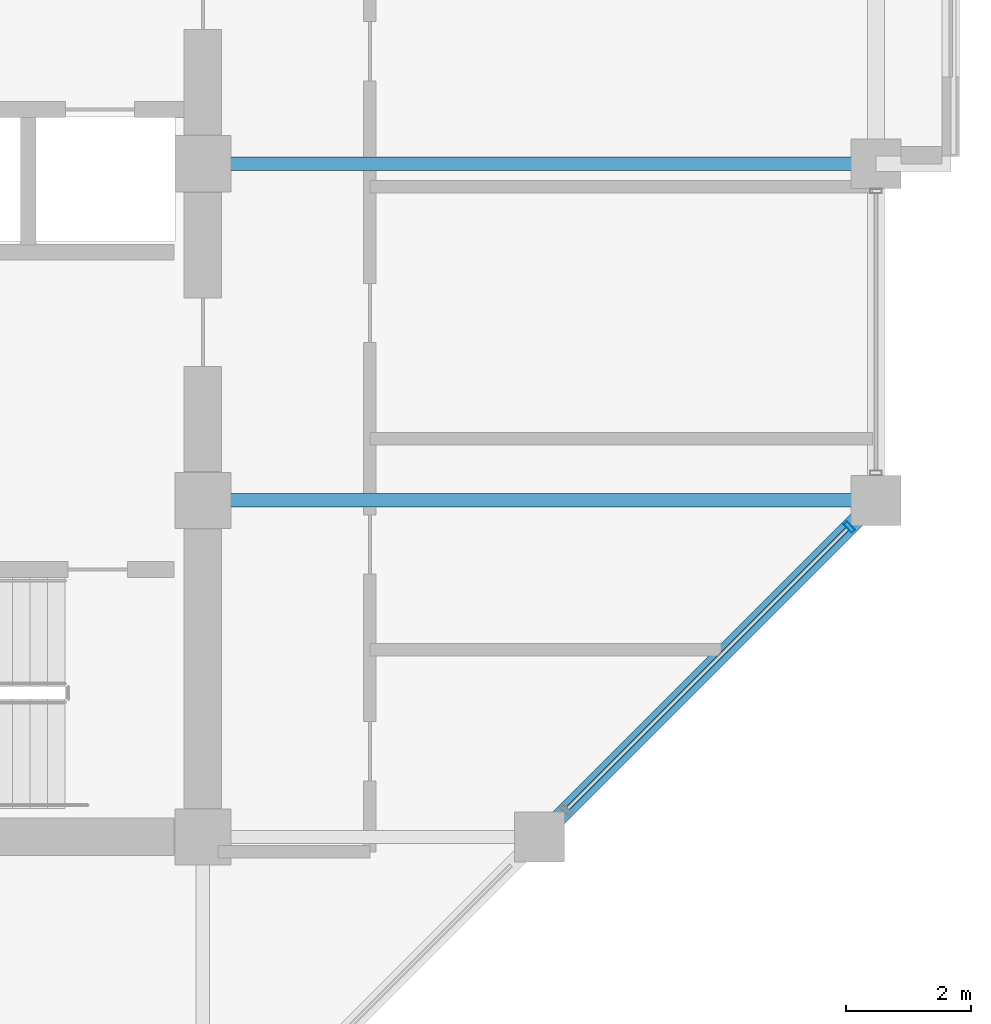
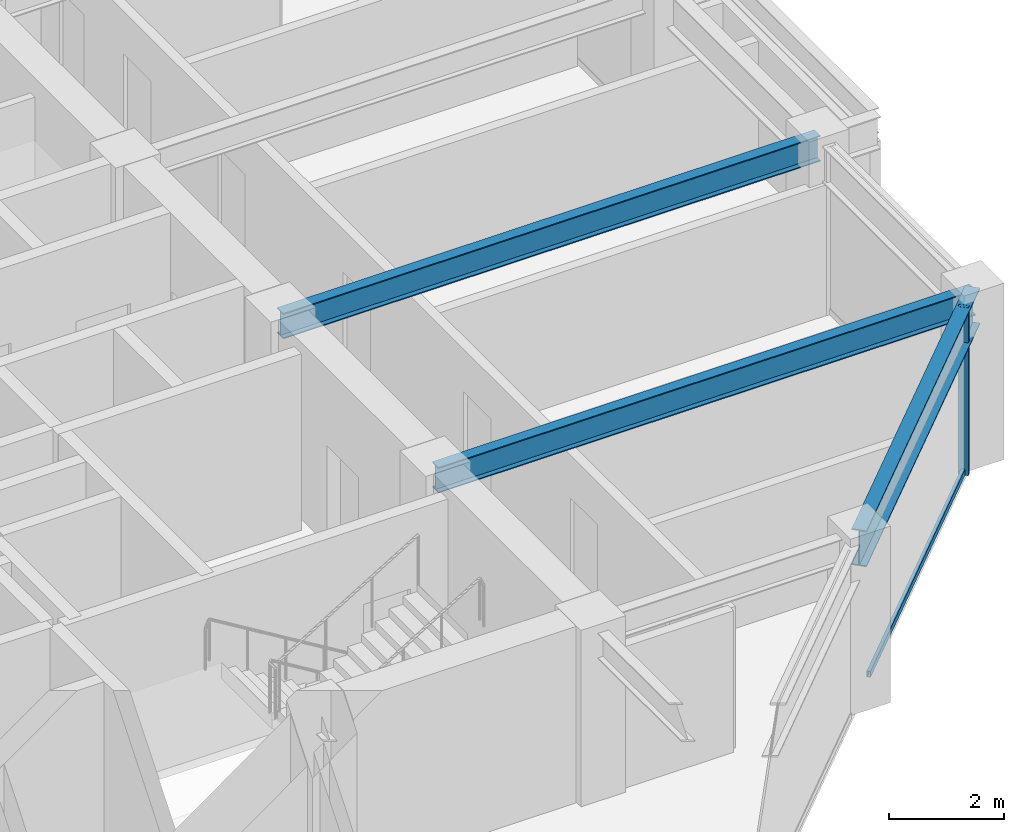
# One storey, part 10 of 28: 3 beams, 2 members, 1 element without a shape of its own.
"""IFC4 building model written with IfcOpenShell, lengths in metres."""

from ifc_helpers import new_model, si_unit, direction, frame, origin, origin_2d, place, context, subcontext, project, spatial, hollow_rectangle, i_section, extrude, material, layer, layer_set, material_profile, profile_set, type_object, element, aggregate, save


model = new_model("IFC4")

# Units and contexts
model_context = context("Model", 3, precision=1e-05, world=origin(), true_north=direction((0.0, 1.0)))
body_context = subcontext(model_context, "Body", "Model", "MODEL_VIEW")
ifc_project = project(units=[si_unit("LENGTHUNIT", "METRE"), si_unit("AREAUNIT", "SQUARE_METRE"), si_unit("VOLUMEUNIT", "CUBIC_METRE"), si_unit("PLANEANGLEUNIT", "RADIAN"), si_unit("MASSUNIT", "GRAM", prefix="KILO")], contexts=[model_context])

# Site, building, storey
site_placement = place(None, origin())
site = spatial("IfcSite", under=ifc_project, at=site_placement, CompositionType="ELEMENT")
building_placement = place(site_placement, origin())
building = spatial("IfcBuilding", under=site, at=building_placement, Name="Surkhivell Harbour Commons", CompositionType="ELEMENT")
storey_placement = place(building_placement, frame((0.0, 0.0, 242.25)))
storey = spatial("IfcBuildingStorey", under=building, at=storey_placement, Name="L63", CompositionType="ELEMENT", Elevation=242.25)

# Beams
ifc_material_1 = material(Name="Steel S355", Category="steel")
ifc_material_profile_1 = material_profile(ifc_material_1, i_section(OverallWidth=0.2119140625, OverallDepth=0.5439453125, WebThickness=0.0126953125, FlangeThickness=0.021240234375, at=origin_2d()), Name="UB533x210x122")
ifc_profile_set_1 = profile_set([ifc_material_profile_1], Name="Steel S355")
beam_type_1 = type_object("IfcBeamType", Name="BM-GRD-533A", PredefinedType="BEAM", material=ifc_profile_set_1)
for number, where, z_axis, x_axis, name in (
    (1, (10.800048828125, -5.39990234375, 3.298095703125), (1.0, 0.0, 0.0), (0.0, 1.0, 0.0), "L63 Floor Girder (10.8,-5.4)"),
    (2, (10.800048828125, 0.0, 3.298095703125), (1.0, 0.0, 0.0), (0.0, 1.0, 0.0), "L63 Floor Girder (10.8,0.0)"),
):
    element("IfcBeam", number, at=place(storey_placement, frame(where, z_axis=z_axis, x_axis=x_axis)), inside=storey, type_object=beam_type_1, Name=name, PredefinedType="BEAM", context=body_context, shape_type="SweptSolid", body=[
        extrude(i_section(OverallWidth=0.2119140625, OverallDepth=0.5439453125, WebThickness=0.0126953125, FlangeThickness=0.021240234375, at=origin_2d()), origin(), (0.0, 0.0, 1.0), 10.800048828125),
    ])
ifc_material_profile_2 = material_profile(ifc_material_1, i_section(OverallWidth=0.26806640625, OverallDepth=0.77001953125, WebThickness=0.015625, FlangeThickness=0.025390625, at=origin_2d()), Name="UB762x267x197")
ifc_profile_set_2 = profile_set([ifc_material_profile_2], Name="Steel S355")
beam_type_2 = type_object("IfcBeamType", Name="BM-SPN-762", PredefinedType="SPANDREL", material=ifc_profile_set_2)
beam_placement = place(storey_placement, frame((16.199951171875, -10.800048828125, 3.18505859375), z_axis=(0.707106781187, 0.707106781187, 0.0), x_axis=(-0.707106781187, 0.707106781187, 0.0)))
element("IfcBeam", 3, at=beam_placement, inside=storey, type_object=beam_type_2, Name="L63 Tube Spandrel (16.2,-10.8)", PredefinedType="SPANDREL", context=body_context, shape_type="SweptSolid", body=[
    extrude(i_section(OverallWidth=0.26806640625, OverallDepth=0.77001953125, WebThickness=0.015625, FlangeThickness=0.025390625, at=origin_2d()), origin(), (0.0, 0.0, 1.0), 7.636962890625),
])

# Curtain wall, members
ifc_material_2 = material(Name="Anodised pale-metal aluminium and insulated glazing", Category="aluminium")
ifc_layer = layer(ifc_material_2, 0.18994140625)
ifc_layer_set = layer_set([ifc_layer], Name="Anodised pale-metal aluminium and insulated glazing")
curtain_wall_type = type_object("IfcCurtainWallType", Name="CW-SYS-Z3", PredefinedType="NOTDEFINED", material=ifc_layer_set)
curtain_wall_placement = place(storey_placement, origin())
curtain_wall = element("IfcCurtainWall", 4, at=curtain_wall_placement, inside=storey, type_object=curtain_wall_type, Name="L63 Curtain Wall CW-L63-E01", PredefinedType="NOTDEFINED")
ifc_material_3 = material(Name="Anodised pale-metal aluminium alloy 6063-T6", Category="aluminium")
ifc_material_profile_3 = material_profile(ifc_material_3, hollow_rectangle(XDim=0.074951171875, YDim=0.18994140625, WallThickness=0.00390625, at=origin_2d()), Name="ALU-MULL-75x190")
ifc_profile_set_3 = profile_set([ifc_material_profile_3], Name="Anodised pale-metal aluminium alloy 6063-T6")
member_type_1 = type_object("IfcMemberType", Name="CWM-190", PredefinedType="MULLION", material=ifc_profile_set_3)
member_1_placement = place(storey_placement, frame((21.171875, -5.828125, 0.0), z_axis=(0.0, 0.0, 1.0), x_axis=(0.707106781187, 0.707106781187, 0.0)))
member_1 = element("IfcMember", 5, at=member_1_placement, type_object=member_type_1, Name="CW-Z3 mullion 4", PredefinedType="MULLION", context=body_context, shape_type="SweptSolid", body=[
    extrude(hollow_rectangle(XDim=0.074951171875, YDim=0.18994140625, WallThickness=0.00390625, at=origin_2d()), origin(), (0.0, 0.0, 1.0), 3.570068359375),
])
ifc_material_4 = material(Name="Champagne anodised aluminium alloy 6063-T6", Category="aluminium")
ifc_material_profile_4 = material_profile(ifc_material_4, hollow_rectangle(XDim=0.070068359375, YDim=0.1298828125, WallThickness=0.00341796875, at=origin_2d()), Name="ALU-TRAN-70x130")
ifc_profile_set_4 = profile_set([ifc_material_profile_4], Name="Champagne anodised aluminium alloy 6063-T6")
member_type_2 = type_object("IfcMemberType", Name="CWT-130", PredefinedType="USERDEFINED", material=ifc_profile_set_4)
member_2_placement = place(storey_placement, frame((16.65478515625, -10.34521484375, 0.06494140625), z_axis=(0.707106781187, 0.707106781187, 0.0), x_axis=(-0.707106781187, 0.707106781187, 0.0)))
member_2 = element("IfcMember", 6, at=member_2_placement, type_object=member_type_2, Name="CW-Z3 transom 3.1", ObjectType="TRANSOM", PredefinedType="USERDEFINED", context=body_context, shape_type="SweptSolid", body=[
    extrude(hollow_rectangle(XDim=0.070068359375, YDim=0.1298828125, WallThickness=0.00341796875, at=origin_2d()), origin(), (0.0, 0.0, 1.0), 6.3505859375),
])
aggregate(curtain_wall, [member_1, member_2])

save(model, "model.ifc")
